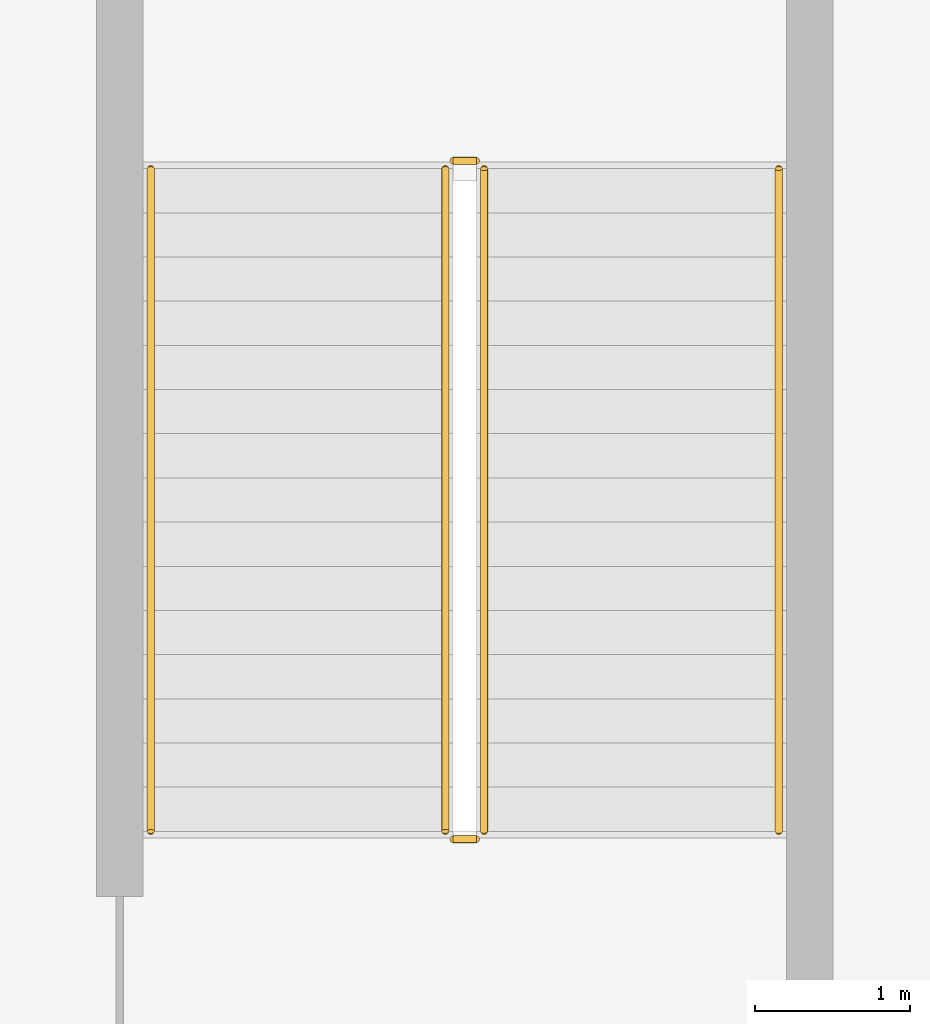
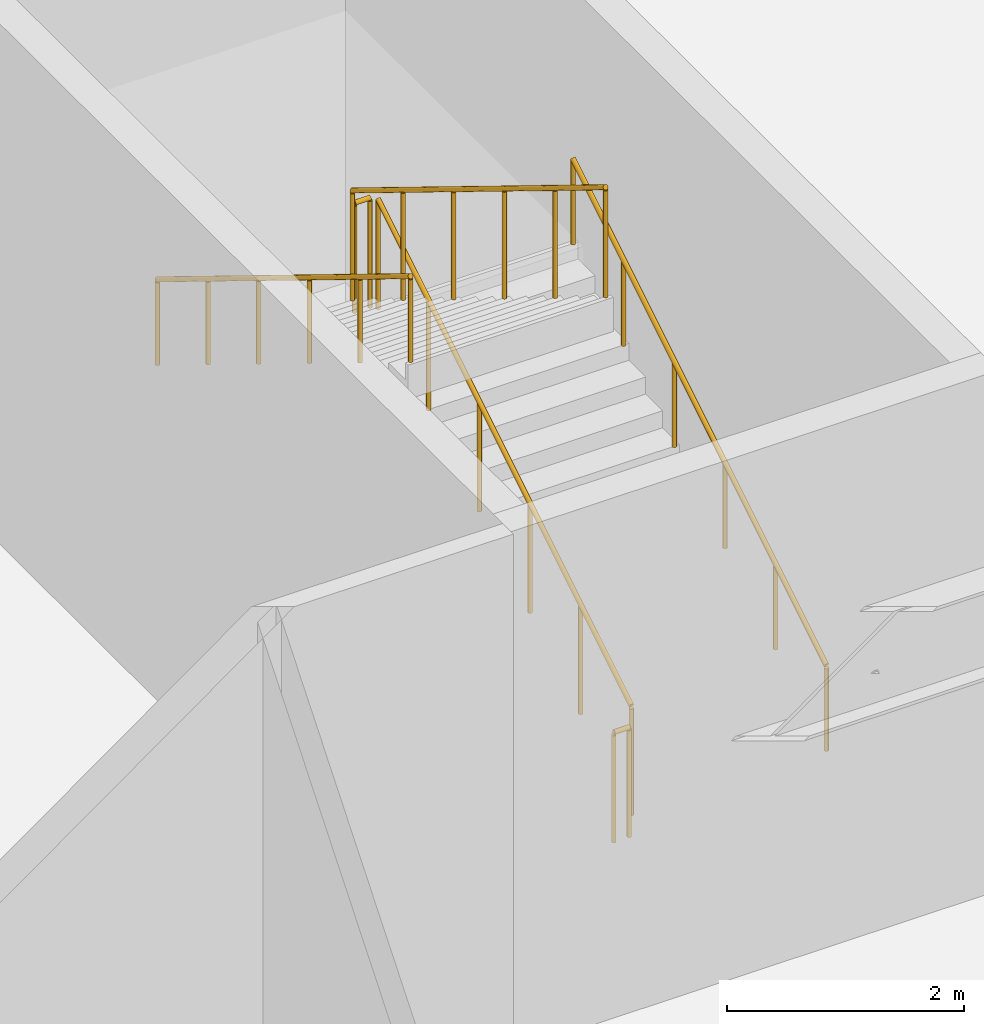
# One storey, part 21 of 21: 6 railings.
"""IFC4 building model written with IfcOpenShell, lengths in metres."""

import ifcopenshell
import ifcopenshell.guid

model = None  # the IFC model being written
_history = None  # IfcOwnerHistory: only IFC2X3 demands one
_inside = {}  # id of a spatial element -> (the spatial element, [elements in it])
_under = {}  # id of a project, library or spatial element -> (it, [spatial elements below it])
_declared = {}  # id of a project -> (the project, [libraries it declares])
_typed = {}  # id of a type object -> (the type object, [elements of that type])
_made_of = {}  # id of a material, layer set ... -> (it, [elements and type objects made of it])


def new_model(schema):
    """Start an empty IFC model of exactly this schema.

    Asked for "IFC4X3", IfcOpenShell would pick the latest addendum, in which some entities
    have other attributes; the version numbers below select the first issue.
    IFC2X3 requires an IfcOwnerHistory on every rooted entity: one is made here for all.
    """
    global model, _history
    if schema == "IFC4X3":
        model = ifcopenshell.file(schema_version=(4, 3, 0, 0))
    else:
        model = ifcopenshell.file(schema=schema)
    _inside.clear()
    _under.clear()
    _declared.clear()
    _typed.clear()
    _made_of.clear()
    _history = None
    if model.schema == "IFC2X3":
        org = make("IfcOrganization", Name="unknown")
        user = make(
            "IfcPersonAndOrganization",
            ThePerson=make("IfcPerson", FamilyName="unknown"),
            TheOrganization=org,
        )
        app = make(
            "IfcApplication",
            ApplicationDeveloper=org,
            Version="unknown",
            ApplicationFullName="unknown",
            ApplicationIdentifier="unknown",
        )
        _history = make(
            "IfcOwnerHistory",
            OwningUser=user,
            OwningApplication=app,
            ChangeAction="ADDED",
            CreationDate=0,
        )
    return model


def make(cls, **values):
    """One entity of the class cls with the attributes given. An attribute that is None is left unset."""
    return model.create_entity(
        cls, **{name: value for name, value in values.items() if value is not None}
    )


def rooted(cls, **values):
    """An entity with a GlobalId (a new one), such as an element, a storey or a relation."""
    return make(cls, GlobalId=ifcopenshell.guid.new(), OwnerHistory=_history, **values)


def si_unit(unit_type, name, prefix=None):
    """IfcSIUnit, for example si_unit("LENGTHUNIT", "METRE", prefix="MILLI")."""
    return make("IfcSIUnit", UnitType=unit_type, Prefix=prefix, Name=name)


def assignment(units):
    """IfcUnitAssignment: the units of a project."""
    return None if units is None else make("IfcUnitAssignment", Units=units)


def point(xyz):
    """IfcCartesianPoint."""
    return None if xyz is None else make("IfcCartesianPoint", Coordinates=xyz)


def direction(xyz):
    """IfcDirection."""
    return None if xyz is None else make("IfcDirection", DirectionRatios=xyz)


def frame(location, z_axis=None, x_axis=None):
    """IfcAxis2Placement3D, a coordinate frame: its origin and axes. An axis left out is left unset."""
    return make(
        "IfcAxis2Placement3D",
        Location=point(location),
        Axis=direction(z_axis),
        RefDirection=direction(x_axis),
    )


def frame_2d(location, x_axis=None):
    """IfcAxis2Placement2D, a coordinate frame in the plane: its origin and x axis."""
    return make(
        "IfcAxis2Placement2D", Location=point(location), RefDirection=direction(x_axis)
    )


def origin():
    """The frame at (0, 0, 0) with its axes left unset."""
    return frame((0.0, 0.0, 0.0))


def origin_2d():
    """The frame at (0, 0) in the plane with its x axis left unset."""
    return frame_2d((0.0, 0.0))


def place(relative_to, where):
    """IfcLocalPlacement: puts the frame where relative to a parent placement (None: the world)."""
    return make(
        "IfcLocalPlacement", PlacementRelTo=relative_to, RelativePlacement=where
    )


def context(
    kind, dimensions, precision=None, world=None, true_north=None, identifier=None
):
    """IfcGeometricRepresentationContext, for example the 3D "Model" context."""
    return make(
        "IfcGeometricRepresentationContext",
        ContextIdentifier=identifier,
        ContextType=kind,
        CoordinateSpaceDimension=dimensions,
        Precision=precision,
        WorldCoordinateSystem=world,
        TrueNorth=true_north,
    )


def subcontext(parent, identifier, kind, view, scale=None):
    """IfcGeometricRepresentationSubContext, for example "Body" below "Model"."""
    return make(
        "IfcGeometricRepresentationSubContext",
        ContextIdentifier=identifier,
        ContextType=kind,
        ParentContext=parent,
        TargetScale=scale,
        TargetView=view,
    )


def project(units=None, contexts=None):
    """IfcProject with its units and contexts."""
    return rooted(
        "IfcProject",
        Name="project",
        RepresentationContexts=contexts,
        UnitsInContext=assignment(units),
    )


def spatial(cls, under=None, at=None, **own):
    """A site, building, storey or space (cls), placed at a placement, below another one or the project."""
    s = rooted(cls, ObjectPlacement=at, **own)
    if under is not None:
        _under.setdefault(under.id(), (under, []))[1].append(s)
    return s


def profile(cls, at=None, kind="AREA", **sizes):
    """A parametric profile (cls). Its sizes go by their IFC names, for example OverallWidth=200.0."""
    return make(cls, ProfileType=kind, Position=at, **sizes)


def circle(**sizes):
    """IfcCircleProfileDef."""
    return profile("IfcCircleProfileDef", **sizes)


def extrude(swept, where, along, depth):
    """IfcExtrudedAreaSolid: the profile swept, set in the frame where, extruded along a direction by depth."""
    return make(
        "IfcExtrudedAreaSolid",
        SweptArea=swept,
        Position=where,
        ExtrudedDirection=direction(along),
        Depth=depth,
    )


def shape(context_of_items, identifier, shape_type, items):
    """IfcShapeRepresentation: the items that make up one representation, for example the "Body"."""
    return make(
        "IfcShapeRepresentation",
        ContextOfItems=context_of_items,
        RepresentationIdentifier=identifier,
        RepresentationType=shape_type,
        Items=items,
    )


def material(Name=None, Category=None):
    """IfcMaterial."""
    return make("IfcMaterial", Name=Name, Category=Category)


def made_of(thing, what):
    """Note that an element or type object is made of a material, layer set ...; save() writes the relation."""
    if what is not None:
        _made_of.setdefault(what.id(), (what, []))[1].append(thing)
    return thing


def type_object(cls, material=None, **own):
    """A type object (cls), such as IfcWallType, which elements share."""
    return made_of(rooted(cls, **own), material)


def element(
    cls,
    number,
    at=None,
    inside=None,
    cuts=None,
    type_object=None,
    material=None,
    context=None,
    identifier="Body",
    shape_type=None,
    held_by="IfcProductDefinitionShape",
    body=None,
    shapes=None,
    **own,
):
    """One element of the class cls, such as IfcWall. Its Tag is "e" and its number.

    at: its placement. inside: the storey or other place that contains it. cuts: it is an
    opening in that element (IfcRelVoidsElement). A single representation is given by context,
    identifier, shape_type and body (its items); several are given by shapes. held_by: the class
    of the entity that holds the representations. save() writes the other relations.
    """
    e = rooted(cls, Tag="e%d" % number, ObjectPlacement=at, **own)
    if body is not None:
        shapes = [shape(context, identifier, shape_type, body)]
    if shapes is not None:
        e.Representation = make(held_by, Representations=shapes)
    if inside is not None:
        _inside.setdefault(inside.id(), (inside, []))[1].append(e)
    if cuts is not None:
        rooted(
            "IfcRelVoidsElement", RelatingBuildingElement=cuts, RelatedOpeningElement=e
        )
    if type_object is not None:
        _typed.setdefault(type_object.id(), (type_object, []))[1].append(e)
    return made_of(e, material)


def aggregate(whole, parts):
    """IfcRelAggregates: a whole, such as a stair, and the parts it consists of."""
    return rooted("IfcRelAggregates", RelatingObject=whole, RelatedObjects=parts)


def save(model, path):
    """Write the relations noted so far, then the file.

    IfcRelAggregates (storeys below a building ...), IfcRelContainedInSpatialStructure (elements
    in a storey), IfcRelDefinesByType, IfcRelAssociatesMaterial and IfcRelDeclares: one each for
    every whole, place, type object, material and project.
    """
    for whole, parts in _under.values():
        aggregate(whole, parts)
    for where, things in _inside.values():
        rooted(
            "IfcRelContainedInSpatialStructure",
            RelatedElements=things,
            RelatingStructure=where,
        )
    for kind, things in _typed.values():
        rooted("IfcRelDefinesByType", RelatedObjects=things, RelatingType=kind)
    for what, things in _made_of.values():
        rooted("IfcRelAssociatesMaterial", RelatedObjects=things, RelatingMaterial=what)
    for by, libraries in _declared.values():
        rooted("IfcRelDeclares", RelatingContext=by, RelatedDefinitions=libraries)
    model.write(path)


model = new_model("IFC4")

# Units and contexts
model_context = context("Model", 3, precision=1e-05, world=origin(), true_north=direction((0.0, 1.0)))
body_context = subcontext(model_context, "Body", "Model", "MODEL_VIEW")
ifc_project = project(units=[si_unit("LENGTHUNIT", "METRE"), si_unit("AREAUNIT", "SQUARE_METRE"), si_unit("VOLUMEUNIT", "CUBIC_METRE"), si_unit("PLANEANGLEUNIT", "RADIAN"), si_unit("MASSUNIT", "GRAM", prefix="KILO")], contexts=[model_context])

# Site, building, storey
site_placement = place(None, origin())
site = spatial("IfcSite", under=ifc_project, at=site_placement, CompositionType="ELEMENT")
building_placement = place(site_placement, origin())
building = spatial("IfcBuilding", under=site, at=building_placement, Name="Nhamokura Convention Tower", CompositionType="ELEMENT")
storey_placement = place(building_placement, frame((0.0, 0.0, 6.64990234375)))
storey = spatial("IfcBuildingStorey", under=building, at=storey_placement, Name="L01", CompositionType="ELEMENT", Elevation=6.64990234375)

# Railings
ifc_material_1 = material(Name="Anodised bronze stainless steel", Category="steel")
railing_type_1 = type_object("IfcRailingType", Name="StairWallHandrail_900", PredefinedType="HANDRAIL", material=ifc_material_1)
railing_1_placement = place(storey_placement, frame((52.75, 48.25, 0.175048828125)))
element("IfcRailing", 1, at=railing_1_placement, inside=storey, type_object=railing_type_1, Name="L01 ST-05 stair handrail 1", PredefinedType="HANDRAIL", context=body_context, shape_type="SweptSolid", body=[
    extrude(circle(Radius=0.02392578125, at=origin_2d()), frame((0.0, 0.0, 0.8759765625), z_axis=(0.0, 0.852165895541, 0.523271713813), x_axis=(-1.0, 0.0, 0.0)), (0.0, 0.0, 1.0), 5.0166015625),
    extrude(circle(Radius=0.02099609375, at=origin_2d()), origin(), (0.0, 0.0, 1.0), 0.851806640625),
    extrude(circle(Radius=0.02099609375, at=origin_2d()), frame((0.0, 0.85498046875, 0.52490234375)), (0.0, 0.0, 1.0), 0.851806640625),
    extrude(circle(Radius=0.02099609375, at=origin_2d()), frame((0.0, 1.7099609375, 1.050048828125)), (0.0, 0.0, 1.0), 0.851806640625),
    extrude(circle(Radius=0.02099609375, at=origin_2d()), frame((0.0, 2.56494140625, 1.574951171875)), (0.0, 0.0, 1.0), 0.851806640625),
    extrude(circle(Radius=0.02099609375, at=origin_2d()), frame((0.0, 3.419921875, 2.10009765625)), (0.0, 0.0, 1.0), 0.851806640625),
    extrude(circle(Radius=0.02099609375, at=origin_2d()), frame((0.0, 4.27490234375, 2.625)), (0.0, 0.0, 1.0), 0.851806640625),
])
railing_2_placement = place(storey_placement, frame((48.699951171875, 52.52490234375, 2.97509765625)))
element("IfcRailing", 2, at=railing_2_placement, inside=storey, type_object=railing_type_1, Name="L01 ST-05 stair handrail 2", PredefinedType="HANDRAIL", context=body_context, shape_type="SweptSolid", body=[
    extrude(circle(Radius=0.02392578125, at=origin_2d()), frame((0.0, 0.0, 0.8759765625), z_axis=(0.0, -0.852165895541, 0.523271713813), x_axis=(1.0, 0.0, 0.0)), (0.0, 0.0, 1.0), 5.0166015625),
    extrude(circle(Radius=0.02099609375, at=origin_2d()), origin(), (0.0, 0.0, 1.0), 0.851806640625),
    extrude(circle(Radius=0.02099609375, at=origin_2d()), frame((0.0, -0.85498046875, 0.52490234375)), (0.0, 0.0, 1.0), 0.851806640625),
    extrude(circle(Radius=0.02099609375, at=origin_2d()), frame((0.0, -1.7099609375, 1.050048828125)), (0.0, 0.0, 1.0), 0.851806640625),
    extrude(circle(Radius=0.02099609375, at=origin_2d()), frame((0.0, -2.56494140625, 1.574951171875)), (0.0, 0.0, 1.0), 0.851806640625),
    extrude(circle(Radius=0.02099609375, at=origin_2d()), frame((0.0, -3.419921875, 2.10009765625)), (0.0, 0.0, 1.0), 0.851806640625),
    extrude(circle(Radius=0.02099609375, at=origin_2d()), frame((0.0, -4.27490234375, 2.625)), (0.0, 0.0, 1.0), 0.851806640625),
])
ifc_material_2 = material(Name="Painted tubular steel", Category="steel")
railing_type_2 = type_object("IfcRailingType", Name="StairWellGuardrail_1150", PredefinedType="GUARDRAIL", material=ifc_material_2)
railing_3_placement = place(storey_placement, frame((50.85009765625, 48.25, 0.175048828125)))
element("IfcRailing", 3, at=railing_3_placement, inside=storey, type_object=railing_type_2, Name="L01 ST-05 stair guard 1", PredefinedType="GUARDRAIL", context=body_context, shape_type="SweptSolid", body=[
    extrude(circle(Radius=0.02392578125, at=origin_2d()), frame((0.0, 0.0, 1.1259765625), z_axis=(0.0, 0.852165895541, 0.523271713813), x_axis=(-1.0, 0.0, 0.0)), (0.0, 0.0, 1.0), 5.0166015625),
    extrude(circle(Radius=0.02099609375, at=origin_2d()), origin(), (0.0, 0.0, 1.0), 1.101806640625),
    extrude(circle(Radius=0.02099609375, at=origin_2d()), frame((0.0, 0.85498046875, 0.52490234375)), (0.0, 0.0, 1.0), 1.101806640625),
    extrude(circle(Radius=0.02099609375, at=origin_2d()), frame((0.0, 1.7099609375, 1.050048828125)), (0.0, 0.0, 1.0), 1.101806640625),
    extrude(circle(Radius=0.02099609375, at=origin_2d()), frame((0.0, 2.56494140625, 1.574951171875)), (0.0, 0.0, 1.0), 1.101806640625),
    extrude(circle(Radius=0.02099609375, at=origin_2d()), frame((0.0, 3.419921875, 2.10009765625)), (0.0, 0.0, 1.0), 1.101806640625),
    extrude(circle(Radius=0.02099609375, at=origin_2d()), frame((0.0, 4.27490234375, 2.625)), (0.0, 0.0, 1.0), 1.101806640625),
])
railing_4_placement = place(storey_placement, frame((50.800048828125, 52.574951171875, 2.800048828125)))
element("IfcRailing", 4, at=railing_4_placement, inside=storey, type_object=railing_type_2, Name="L01 ST-05 stair guard 2", PredefinedType="GUARDRAIL", context=body_context, shape_type="SweptSolid", body=[
    extrude(circle(Radius=0.02392578125, at=origin_2d()), frame((0.0, 0.0, 1.1259765625), z_axis=(-1.0, 0.0, 0.0), x_axis=(0.0, -1.0, 0.0)), (0.0, 0.0, 1.0), 0.150146484375),
    extrude(circle(Radius=0.02099609375, at=origin_2d()), origin(), (0.0, 0.0, 1.0), 1.101806640625),
    extrude(circle(Radius=0.02099609375, at=origin_2d()), frame((-0.150146484375, 0.0, 0.0)), (0.0, 0.0, 1.0), 1.101806640625),
])
railing_5_placement = place(storey_placement, frame((50.60009765625, 52.52490234375, 2.97509765625)))
element("IfcRailing", 5, at=railing_5_placement, inside=storey, type_object=railing_type_2, Name="L01 ST-05 stair guard 3", PredefinedType="GUARDRAIL", context=body_context, shape_type="SweptSolid", body=[
    extrude(circle(Radius=0.02392578125, at=origin_2d()), frame((0.0, 0.0, 1.1259765625), z_axis=(0.0, -0.852165895541, 0.523271713813), x_axis=(1.0, 0.0, 0.0)), (0.0, 0.0, 1.0), 5.0166015625),
    extrude(circle(Radius=0.02099609375, at=origin_2d()), origin(), (0.0, 0.0, 1.0), 1.101806640625),
    extrude(circle(Radius=0.02099609375, at=origin_2d()), frame((0.0, -0.85498046875, 0.52490234375)), (0.0, 0.0, 1.0), 1.101806640625),
    extrude(circle(Radius=0.02099609375, at=origin_2d()), frame((0.0, -1.7099609375, 1.050048828125)), (0.0, 0.0, 1.0), 1.101806640625),
    extrude(circle(Radius=0.02099609375, at=origin_2d()), frame((0.0, -2.56494140625, 1.574951171875)), (0.0, 0.0, 1.0), 1.101806640625),
    extrude(circle(Radius=0.02099609375, at=origin_2d()), frame((0.0, -3.419921875, 2.10009765625)), (0.0, 0.0, 1.0), 1.101806640625),
    extrude(circle(Radius=0.02099609375, at=origin_2d()), frame((0.0, -4.27490234375, 2.625)), (0.0, 0.0, 1.0), 1.101806640625),
])
railing_6_placement = place(storey_placement, frame((50.800048828125, 48.199951171875, 0.0)))
element("IfcRailing", 6, at=railing_6_placement, inside=storey, type_object=railing_type_2, Name="L01 ST-05 stair guard 4", PredefinedType="GUARDRAIL", context=body_context, shape_type="SweptSolid", body=[
    extrude(circle(Radius=0.02392578125, at=origin_2d()), frame((0.0, 0.0, 1.1259765625), z_axis=(-1.0, 0.0, 0.0), x_axis=(0.0, -1.0, 0.0)), (0.0, 0.0, 1.0), 0.150146484375),
    extrude(circle(Radius=0.02099609375, at=origin_2d()), origin(), (0.0, 0.0, 1.0), 1.101806640625),
    extrude(circle(Radius=0.02099609375, at=origin_2d()), frame((-0.150146484375, 0.0, 0.0)), (0.0, 0.0, 1.0), 1.101806640625),
])

save(model, "model.ifc")
